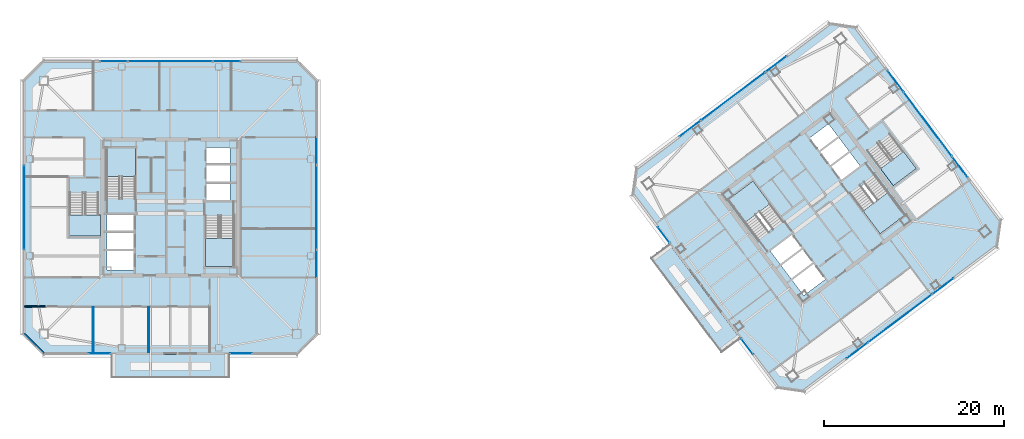
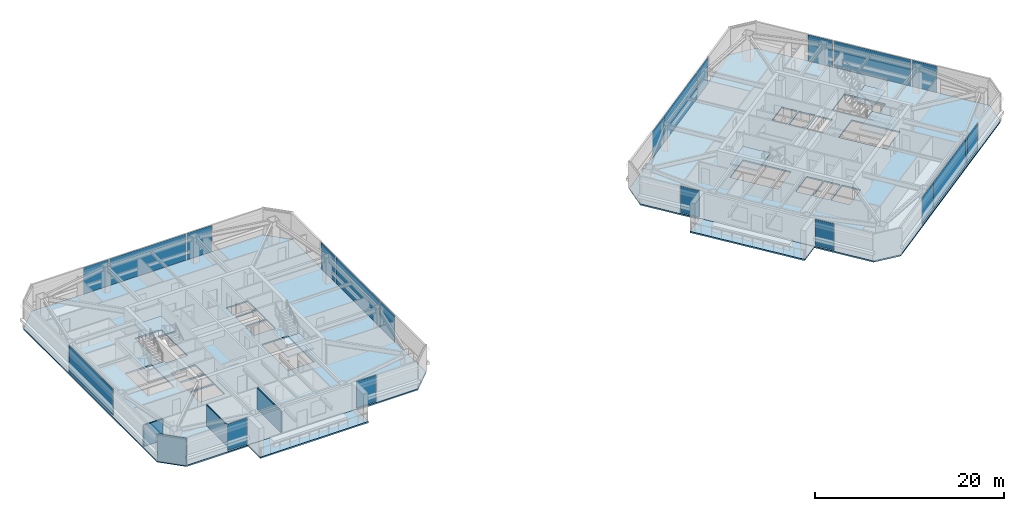
# One storey, part 28 of 39: 20 plates, 10 slabs, 4 walls, 26 elements without a shape of their own.
"""IFC4 building model written with IfcOpenShell, lengths in metres."""

from ifc_helpers import new_model, si_unit, direction, frame, frame_2d, origin, origin_2d, place, context, subcontext, project, spatial, polyline, rectangle, outline, extrude, material, layer, layer_set, type_object, element, aggregate, save


model = new_model("IFC4")

# Units and contexts
model_context = context("Model", 3, precision=1e-05, world=origin(), true_north=direction((0.0, 1.0)))
body_context = subcontext(model_context, "Body", "Model", "MODEL_VIEW")
ifc_project = project(units=[si_unit("LENGTHUNIT", "METRE"), si_unit("AREAUNIT", "SQUARE_METRE"), si_unit("VOLUMEUNIT", "CUBIC_METRE"), si_unit("PLANEANGLEUNIT", "RADIAN"), si_unit("MASSUNIT", "GRAM", prefix="KILO")], contexts=[model_context])

# Site, building, storey
site_placement = place(None, origin())
site = spatial("IfcSite", under=ifc_project, at=site_placement, CompositionType="ELEMENT")
building_placement = place(site_placement, origin())
building = spatial("IfcBuilding", under=site, at=building_placement, Name="Tashvorn Skyway Center", CompositionType="ELEMENT")
storey_placement = place(building_placement, frame((0.0, 0.0, 225.5)))
storey = spatial("IfcBuildingStorey", under=building, at=storey_placement, Name="L61", CompositionType="ELEMENT", Elevation=225.5)

# Curtain wall, plate
ifc_material_1 = material(Name="Thermally broken bronze-anodized aluminium 6063-T6", Category="aluminium")
curtain_wall_type = type_object("IfcCurtainWallType", Name="CW-CW-Z5", PredefinedType="NOTDEFINED", material=ifc_material_1)
curtain_wall_1_placement = place(storey_placement, origin())
curtain_wall_1 = element("IfcCurtainWall", 1, at=curtain_wall_1_placement, inside=storey, type_object=curtain_wall_type, Name="Tower 1 L61 South Curtain Wall L Glazing Group 1", PredefinedType="NOTDEFINED")
ifc_material_2 = material(Name="Low-E solar-control double insulating safety glass", Category="glass")
ifc_layer_1 = layer(ifc_material_2, 0.031982421875)
ifc_layer_set_1 = layer_set([ifc_layer_1], Name="Low-E solar-control double insulating safety glass")
plate_type = type_object("IfcPlateType", Name="CWP-CW-Z5", PredefinedType="CURTAIN_PANEL", material=ifc_layer_set_1)
plate_1_placement = place(storey_placement, frame((49.86328125, 15.719970703125, 0.06982421875), z_axis=(0.0, 0.0, 1.0), x_axis=(-1.0, 0.0, 0.0)))
plate_1 = element("IfcPlate", 2, at=plate_1_placement, type_object=plate_type, Name="CW-Z5 panel 1.1", PredefinedType="CURTAIN_PANEL", context=body_context, shape_type="SweptSolid", body=[
    extrude(rectangle(XDim=2.38671875, YDim=0.031982421875, at=origin_2d()), origin(), (0.0, 0.0, 1.0), 3.409912109375),
])
aggregate(curtain_wall_1, [plate_1])

curtain_wall_2_placement = place(storey_placement, origin())
curtain_wall_2 = element("IfcCurtainWall", 3, at=curtain_wall_2_placement, inside=storey, type_object=curtain_wall_type, Name="Tower 1 L61 South Curtain Wall R Glazing Group 1", PredefinedType="NOTDEFINED")
plate_2_placement = place(storey_placement, frame((34.13671875, 15.719970703125, 0.06982421875), z_axis=(0.0, 0.0, 1.0), x_axis=(-1.0, 0.0, 0.0)))
plate_2 = element("IfcPlate", 4, at=plate_2_placement, type_object=plate_type, Name="CW-Z5 panel 1.1", PredefinedType="CURTAIN_PANEL", context=body_context, shape_type="SweptSolid", body=[
    extrude(rectangle(XDim=2.38671875, YDim=0.031982421875, at=origin_2d()), origin(), (0.0, 0.0, 1.0), 3.409912109375),
])
aggregate(curtain_wall_2, [plate_2])

curtain_wall_3_placement = place(storey_placement, origin())
curtain_wall_3 = element("IfcCurtainWall", 5, at=curtain_wall_3_placement, inside=storey, type_object=curtain_wall_type, Name="Tower 1 L61 West Unitised Curtain Wall Glazing Group 1", PredefinedType="NOTDEFINED")
plate_3_placement = place(storey_placement, frame((25.719970703125, 32.0, 0.06982421875), z_axis=(0.0, 0.0, 1.0), x_axis=(0.0, 1.0, 0.0)))
plate_3 = element("IfcPlate", 6, at=plate_3_placement, type_object=plate_type, Name="CW-Z5 panel 1.1", PredefinedType="CURTAIN_PANEL", context=body_context, shape_type="SweptSolid", body=[
    extrude(rectangle(XDim=9.3134765625, YDim=0.031982421875, at=origin_2d()), origin(), (0.0, 0.0, 1.0), 3.409912109375),
])
aggregate(curtain_wall_3, [plate_3])

curtain_wall_4_placement = place(storey_placement, origin())
curtain_wall_4 = element("IfcCurtainWall", 7, at=curtain_wall_4_placement, inside=storey, type_object=curtain_wall_type, Name="Tower 1 L61 North Unitised Curtain Wall Glazing Group 1", PredefinedType="NOTDEFINED")
plate_4_placement = place(storey_placement, frame((35.69775390625, 48.280029296875, 0.06982421875), z_axis=(0.0, 0.0, 1.0), x_axis=(1.0, 0.0, 0.0)))
plate_4 = element("IfcPlate", 8, at=plate_4_placement, type_object=plate_type, Name="CW-Z5 panel 1.1", PredefinedType="CURTAIN_PANEL", context=body_context, shape_type="SweptSolid", body=[
    extrude(rectangle(XDim=3.010986328125, YDim=0.031982421875, at=origin_2d()), origin(), (0.0, 0.0, 1.0), 3.409912109375),
])
aggregate(curtain_wall_4, [plate_4])

curtain_wall_5_placement = place(storey_placement, origin())
curtain_wall_5 = element("IfcCurtainWall", 9, at=curtain_wall_5_placement, inside=storey, type_object=curtain_wall_type, Name="Tower 1 L61 North Unitised Curtain Wall Glazing Group 2", PredefinedType="NOTDEFINED")
plate_5_placement = place(storey_placement, frame((42.0, 48.280029296875, 0.06982421875), z_axis=(0.0, 0.0, 1.0), x_axis=(1.0, 0.0, 0.0)))
plate_5 = element("IfcPlate", 10, at=plate_5_placement, type_object=plate_type, Name="CW-Z5 panel 1.1", PredefinedType="CURTAIN_PANEL", context=body_context, shape_type="SweptSolid", body=[
    extrude(rectangle(XDim=9.3134765625, YDim=0.031982421875, at=origin_2d()), origin(), (0.0, 0.0, 1.0), 3.409912109375),
])
aggregate(curtain_wall_5, [plate_5])

curtain_wall_6_placement = place(storey_placement, origin())
curtain_wall_6 = element("IfcCurtainWall", 11, at=curtain_wall_6_placement, inside=storey, type_object=curtain_wall_type, Name="Tower 1 L61 North Unitised Curtain Wall Glazing Group 3", PredefinedType="NOTDEFINED")
plate_6_placement = place(storey_placement, frame((48.30224609375, 48.280029296875, 0.06982421875), z_axis=(0.0, 0.0, 1.0), x_axis=(1.0, 0.0, 0.0)))
plate_6 = element("IfcPlate", 12, at=plate_6_placement, type_object=plate_type, Name="CW-Z5 panel 1.1", PredefinedType="CURTAIN_PANEL", context=body_context, shape_type="SweptSolid", body=[
    extrude(rectangle(XDim=3.010986328125, YDim=0.031982421875, at=origin_2d()), origin(), (0.0, 0.0, 1.0), 3.409912109375),
])
aggregate(curtain_wall_6, [plate_6])

curtain_wall_7_placement = place(storey_placement, origin())
curtain_wall_7 = element("IfcCurtainWall", 13, at=curtain_wall_7_placement, inside=storey, type_object=curtain_wall_type, Name="Tower 1 L61 East Unitised Curtain Wall Glazing Group 1", PredefinedType="NOTDEFINED")
plate_7_placement = place(storey_placement, frame((58.280029296875, 38.30224609375, 0.06982421875), z_axis=(0.0, 0.0, 1.0), x_axis=(0.0, -1.0, 0.0)))
plate_7 = element("IfcPlate", 14, at=plate_7_placement, type_object=plate_type, Name="CW-Z5 panel 1.1", PredefinedType="CURTAIN_PANEL", context=body_context, shape_type="SweptSolid", body=[
    extrude(rectangle(XDim=3.010986328125, YDim=0.031982421875, at=origin_2d()), origin(), (0.0, 0.0, 1.0), 3.409912109375),
])
aggregate(curtain_wall_7, [plate_7])

curtain_wall_8_placement = place(storey_placement, origin())
curtain_wall_8 = element("IfcCurtainWall", 15, at=curtain_wall_8_placement, inside=storey, type_object=curtain_wall_type, Name="Tower 1 L61 East Unitised Curtain Wall Glazing Group 2", PredefinedType="NOTDEFINED")
plate_8_placement = place(storey_placement, frame((58.280029296875, 32.0, 0.06982421875), z_axis=(0.0, 0.0, 1.0), x_axis=(0.0, -1.0, 0.0)))
plate_8 = element("IfcPlate", 16, at=plate_8_placement, type_object=plate_type, Name="CW-Z5 panel 1.1", PredefinedType="CURTAIN_PANEL", context=body_context, shape_type="SweptSolid", body=[
    extrude(rectangle(XDim=9.3134765625, YDim=0.031982421875, at=origin_2d()), origin(), (0.0, 0.0, 1.0), 3.409912109375),
])
aggregate(curtain_wall_8, [plate_8])

curtain_wall_9_placement = place(storey_placement, origin())
curtain_wall_9 = element("IfcCurtainWall", 17, at=curtain_wall_9_placement, inside=storey, type_object=curtain_wall_type, Name="Tower 1 L61 East Unitised Curtain Wall Glazing Group 3", PredefinedType="NOTDEFINED")
plate_9_placement = place(storey_placement, frame((58.280029296875, 25.69775390625, 0.06982421875), z_axis=(0.0, 0.0, 1.0), x_axis=(0.0, -1.0, 0.0)))
plate_9 = element("IfcPlate", 18, at=plate_9_placement, type_object=plate_type, Name="CW-Z5 panel 1.1", PredefinedType="CURTAIN_PANEL", context=body_context, shape_type="SweptSolid", body=[
    extrude(rectangle(XDim=3.010986328125, YDim=0.031982421875, at=origin_2d()), origin(), (0.0, 0.0, 1.0), 3.409912109375),
])
aggregate(curtain_wall_9, [plate_9])

curtain_wall_10_placement = place(storey_placement, origin())
curtain_wall_10 = element("IfcCurtainWall", 19, at=curtain_wall_10_placement, inside=storey, type_object=curtain_wall_type, Name="Tower 2 L61 South Unitised Curtain Wall Glazing Group 1", PredefinedType="NOTDEFINED")
plate_10_placement = place(storey_placement, frame((128.080810546875, 23.210693359375, 0.06982421875), z_axis=(0.0, 0.0, 1.0), x_axis=(-0.799999999998, -0.600000000002, 0.0)))
plate_10 = element("IfcPlate", 20, at=plate_10_placement, type_object=plate_type, Name="CW-Z5 panel 1.1", PredefinedType="CURTAIN_PANEL", context=body_context, shape_type="SweptSolid", body=[
    extrude(rectangle(XDim=2.85546875, YDim=0.031982421875, at=origin_2d()), origin(), (0.0, 0.0, 1.0), 3.409912109375),
])
aggregate(curtain_wall_10, [plate_10])

curtain_wall_11_placement = place(storey_placement, origin())
curtain_wall_11 = element("IfcCurtainWall", 21, at=curtain_wall_11_placement, inside=storey, type_object=curtain_wall_type, Name="Tower 2 L61 South Unitised Curtain Wall Glazing Group 2", PredefinedType="NOTDEFINED")
plate_11_placement = place(storey_placement, frame((123.2880859375, 19.615966796875, 0.06982421875), z_axis=(0.0, 0.0, 1.0), x_axis=(-0.800002670596, -0.599996439189, 0.0)))
plate_11 = element("IfcPlate", 22, at=plate_11_placement, type_object=plate_type, Name="CW-Z5 panel 1.1", PredefinedType="CURTAIN_PANEL", context=body_context, shape_type="SweptSolid", body=[
    extrude(rectangle(XDim=8.8466796875, YDim=0.031982421875, at=origin_2d()), origin(), (0.0, 0.0, 1.0), 3.409912109375),
])
aggregate(curtain_wall_11, [plate_11])

curtain_wall_12_placement = place(storey_placement, origin())
curtain_wall_12 = element("IfcCurtainWall", 23, at=curtain_wall_12_placement, inside=storey, type_object=curtain_wall_type, Name="Tower 2 L61 South Unitised Curtain Wall Glazing Group 3", PredefinedType="NOTDEFINED")
plate_12_placement = place(storey_placement, frame((118.4951171875, 16.021240234375, 0.06982421875), z_axis=(0.0, 0.0, 1.0), x_axis=(-0.799999999998, -0.600000000002, 0.0)))
plate_12 = element("IfcPlate", 24, at=plate_12_placement, type_object=plate_type, Name="CW-Z5 panel 1.1", PredefinedType="CURTAIN_PANEL", context=body_context, shape_type="SweptSolid", body=[
    extrude(rectangle(XDim=2.85546875, YDim=0.031982421875, at=origin_2d()), origin(), (0.0, 0.0, 1.0), 3.409912109375),
])
aggregate(curtain_wall_12, [plate_12])

curtain_wall_13_placement = place(storey_placement, origin())
curtain_wall_13 = element("IfcCurtainWall", 25, at=curtain_wall_13_placement, inside=storey, type_object=curtain_wall_type, Name="Tower 2 L61 West Curtain Wall L Glazing Group 1", PredefinedType="NOTDEFINED")
plate_13_placement = place(storey_placement, frame((106.263916015625, 16.5146484375, 0.06982421875), z_axis=(0.0, 0.0, 1.0), x_axis=(-0.599993023312, 0.800005232469, 0.0)))
plate_13 = element("IfcPlate", 26, at=plate_13_placement, type_object=plate_type, Name="CW-Z5 panel 1.1", PredefinedType="CURTAIN_PANEL", context=body_context, shape_type="SweptSolid", body=[
    extrude(rectangle(XDim=2.1533203125, YDim=0.031982421875, at=origin_2d()), origin(), (0.0, 0.0, 1.0), 3.409912109375),
])
aggregate(curtain_wall_13, [plate_13])

curtain_wall_14_placement = place(storey_placement, origin())
curtain_wall_14 = element("IfcCurtainWall", 27, at=curtain_wall_14_placement, inside=storey, type_object=curtain_wall_type, Name="Tower 2 L61 West Curtain Wall R Glazing Group 1", PredefinedType="NOTDEFINED")
plate_14_placement = place(storey_placement, frame((96.968017578125, 28.909423828125, 0.06982421875), z_axis=(0.0, 0.0, 1.0), x_axis=(-0.599993023312, 0.800005232469, 0.0)))
plate_14 = element("IfcPlate", 28, at=plate_14_placement, type_object=plate_type, Name="CW-Z5 panel 1.1", PredefinedType="CURTAIN_PANEL", context=body_context, shape_type="SweptSolid", body=[
    extrude(rectangle(XDim=2.1533203125, YDim=0.031982421875, at=origin_2d()), origin(), (0.0, 0.0, 1.0), 3.409912109375),
])
aggregate(curtain_wall_14, [plate_14])

curtain_wall_15_placement = place(storey_placement, origin())
curtain_wall_15 = element("IfcCurtainWall", 29, at=curtain_wall_15_placement, inside=storey, type_object=curtain_wall_type, Name="Tower 2 L61 North Unitised Curtain Wall Glazing Group 1", PredefinedType="NOTDEFINED")
plate_15_placement = place(storey_placement, frame((99.919189453125, 40.789306640625, 0.06982421875), z_axis=(0.0, 0.0, 1.0), x_axis=(0.799999999998, 0.600000000002, 0.0)))
plate_15 = element("IfcPlate", 30, at=plate_15_placement, type_object=plate_type, Name="CW-Z5 panel 1.1", PredefinedType="CURTAIN_PANEL", context=body_context, shape_type="SweptSolid", body=[
    extrude(rectangle(XDim=2.85546875, YDim=0.031982421875, at=origin_2d()), origin(), (0.0, 0.0, 1.0), 3.409912109375),
])
aggregate(curtain_wall_15, [plate_15])

curtain_wall_16_placement = place(storey_placement, origin())
curtain_wall_16 = element("IfcCurtainWall", 31, at=curtain_wall_16_placement, inside=storey, type_object=curtain_wall_type, Name="Tower 2 L61 North Unitised Curtain Wall Glazing Group 2", PredefinedType="NOTDEFINED")
plate_16_placement = place(storey_placement, frame((104.7119140625, 44.384033203125, 0.06982421875), z_axis=(0.0, 0.0, 1.0), x_axis=(0.800002670596, 0.599996439189, 0.0)))
plate_16 = element("IfcPlate", 32, at=plate_16_placement, type_object=plate_type, Name="CW-Z5 panel 1.1", PredefinedType="CURTAIN_PANEL", context=body_context, shape_type="SweptSolid", body=[
    extrude(rectangle(XDim=8.8466796875, YDim=0.031982421875, at=origin_2d()), origin(), (0.0, 0.0, 1.0), 3.409912109375),
])
aggregate(curtain_wall_16, [plate_16])

curtain_wall_17_placement = place(storey_placement, origin())
curtain_wall_17 = element("IfcCurtainWall", 33, at=curtain_wall_17_placement, inside=storey, type_object=curtain_wall_type, Name="Tower 2 L61 North Unitised Curtain Wall Glazing Group 3", PredefinedType="NOTDEFINED")
plate_17_placement = place(storey_placement, frame((109.5048828125, 47.978759765625, 0.06982421875), z_axis=(0.0, 0.0, 1.0), x_axis=(0.799999999998, 0.600000000002, 0.0)))
plate_17 = element("IfcPlate", 34, at=plate_17_placement, type_object=plate_type, Name="CW-Z5 panel 1.1", PredefinedType="CURTAIN_PANEL", context=body_context, shape_type="SweptSolid", body=[
    extrude(rectangle(XDim=2.85546875, YDim=0.031982421875, at=origin_2d()), origin(), (0.0, 0.0, 1.0), 3.409912109375),
])
aggregate(curtain_wall_17, [plate_17])

curtain_wall_18_placement = place(storey_placement, origin())
curtain_wall_18 = element("IfcCurtainWall", 35, at=curtain_wall_18_placement, inside=storey, type_object=curtain_wall_type, Name="Tower 2 L61 East Unitised Curtain Wall Glazing Group 1", PredefinedType="NOTDEFINED")
plate_18_placement = place(storey_placement, frame((122.789306640625, 46.080810546875, 0.06982421875), z_axis=(0.0, 0.0, 1.0), x_axis=(0.600000000002, -0.799999999998, 0.0)))
plate_18 = element("IfcPlate", 36, at=plate_18_placement, type_object=plate_type, Name="CW-Z5 panel 1.1", PredefinedType="CURTAIN_PANEL", context=body_context, shape_type="SweptSolid", body=[
    extrude(rectangle(XDim=2.85546875, YDim=0.031982421875, at=origin_2d()), origin(), (0.0, 0.0, 1.0), 3.409912109375),
])
aggregate(curtain_wall_18, [plate_18])

curtain_wall_19_placement = place(storey_placement, origin())
curtain_wall_19 = element("IfcCurtainWall", 37, at=curtain_wall_19_placement, inside=storey, type_object=curtain_wall_type, Name="Tower 2 L61 East Unitised Curtain Wall Glazing Group 2", PredefinedType="NOTDEFINED")
plate_19_placement = place(storey_placement, frame((126.384033203125, 41.2880859375, 0.06982421875), z_axis=(0.0, 0.0, 1.0), x_axis=(0.599996439189, -0.800002670596, 0.0)))
plate_19 = element("IfcPlate", 38, at=plate_19_placement, type_object=plate_type, Name="CW-Z5 panel 1.1", PredefinedType="CURTAIN_PANEL", context=body_context, shape_type="SweptSolid", body=[
    extrude(rectangle(XDim=8.8466796875, YDim=0.031982421875, at=origin_2d()), origin(), (0.0, 0.0, 1.0), 3.409912109375),
])
aggregate(curtain_wall_19, [plate_19])

curtain_wall_20_placement = place(storey_placement, origin())
curtain_wall_20 = element("IfcCurtainWall", 39, at=curtain_wall_20_placement, inside=storey, type_object=curtain_wall_type, Name="Tower 2 L61 East Unitised Curtain Wall Glazing Group 3", PredefinedType="NOTDEFINED")
plate_20_placement = place(storey_placement, frame((129.978759765625, 36.4951171875, 0.06982421875), z_axis=(0.0, 0.0, 1.0), x_axis=(0.600000000002, -0.799999999998, 0.0)))
plate_20 = element("IfcPlate", 40, at=plate_20_placement, type_object=plate_type, Name="CW-Z5 panel 1.1", PredefinedType="CURTAIN_PANEL", context=body_context, shape_type="SweptSolid", body=[
    extrude(rectangle(XDim=2.85546875, YDim=0.031982421875, at=origin_2d()), origin(), (0.0, 0.0, 1.0), 3.409912109375),
])
aggregate(curtain_wall_20, [plate_20])

# Slabs
ifc_material_3 = material(Name="Concrete C40/50", Category="concrete")
ifc_layer_2 = layer(ifc_material_3, 0.179931640625)
ifc_layer_set_2 = layer_set([ifc_layer_2], Name="Concrete C40/50")
slab_type_1 = type_object("IfcSlabType", Name="SLAB-FLR-180", PredefinedType="FLOOR", material=ifc_layer_set_2)
slab_1_placement = place(storey_placement, frame((0.0, 0.0, -0.179931640625)))
element("IfcSlab", 41, at=slab_1_placement, inside=storey, type_object=slab_type_1, Name="Tower 1 L61 Composite Floor Slab", PredefinedType="FLOOR", context=body_context, shape_type="SweptSolid", body=[
    extrude(outline(polyline([(27.89990234375, 15.60009765625), (56.10009765625, 15.60009765625), (58.39990234375, 17.89990234375), (58.39990234375, 46.10009765625), (56.10009765625, 48.39990234375), (27.89990234375, 48.39990234375), (25.60009765625, 46.10009765625), (25.60009765625, 17.89990234375), (27.89990234375, 15.60009765625)]), holes=[polyline([(38.10009765625, 33.080078125), (38.10009765625, 38.60009765625), (34.89990234375, 38.60009765625), (34.89990234375, 33.080078125), (38.10009765625, 33.080078125)]), polyline([(45.89990234375, 30.919921875), (45.89990234375, 25.39990234375), (49.10009765625, 25.39990234375), (49.10009765625, 30.919921875), (45.89990234375, 30.919921875)]), polyline([(30.800048828125, 33.52001953125), (30.800048828125, 28.800048828125), (34.0, 28.800048828125), (34.0, 33.52001953125), (30.800048828125, 33.52001953125)]), polyline([(34.949951171875, 29.35009765625), (37.949951171875, 29.35009765625), (37.949951171875, 31.199951171875), (34.949951171875, 31.199951171875), (34.949951171875, 29.35009765625)]), polyline([(34.949951171875, 27.35009765625), (37.949951171875, 27.35009765625), (37.949951171875, 29.199951171875), (34.949951171875, 29.199951171875), (34.949951171875, 27.35009765625)]), polyline([(34.949951171875, 25.0), (37.949951171875, 25.0), (37.949951171875, 27.14990234375), (34.949951171875, 27.14990234375), (34.949951171875, 25.0)]), polyline([(46.050048828125, 32.800048828125), (48.64990234375, 32.800048828125), (48.64990234375, 34.64990234375), (46.050048828125, 34.64990234375), (46.050048828125, 32.800048828125)]), polyline([(46.050048828125, 34.85009765625), (48.64990234375, 34.85009765625), (48.64990234375, 36.699951171875), (46.050048828125, 36.699951171875), (46.050048828125, 34.85009765625)]), polyline([(46.050048828125, 36.89990234375), (48.64990234375, 36.89990234375), (48.64990234375, 38.64990234375), (46.050048828125, 38.64990234375), (46.050048828125, 36.89990234375)])]), origin(), (0.0, 0.0, 1.0), 0.179931640625),
])
slab_2_placement = place(storey_placement, frame((0.0, 0.0, -0.179931640625)))
element("IfcSlab", 42, at=slab_2_placement, inside=storey, type_object=slab_type_1, Name="Tower 2 L61 Composite Floor Slab", PredefinedType="FLOOR", context=body_context, shape_type="SweptSolid", body=[
    extrude(outline(polyline([(112.639892578125, 11.47998046875), (134.080078125, 27.56005859375), (134.52001953125, 30.639892578125), (118.43994140625, 52.080078125), (115.360107421875, 52.52001953125), (93.919921875, 36.43994140625), (93.47998046875, 33.360107421875), (109.56005859375, 11.919921875), (112.639892578125, 11.47998046875)]), holes=[polyline([(110.23193359375, 30.52392578125), (106.919921875, 34.93994140625), (104.135986328125, 32.85205078125), (107.447998046875, 28.43603515625), (110.23193359375, 30.52392578125)]), polyline([(117.76806640625, 33.47607421875), (121.080078125, 29.06005859375), (123.864013671875, 31.14794921875), (120.552001953125, 35.56396484375), (117.76806640625, 33.47607421875)]), polyline([(119.7119140625, 38.18408203125), (122.5439453125, 34.407958984375), (125.10400390625, 36.327880859375), (122.27197265625, 40.10400390625), (119.7119140625, 38.18408203125)]), polyline([(109.949951171875, 25.64990234375), (112.35009765625, 27.449951171875), (111.239990234375, 28.929931640625), (108.840087890625, 27.1298828125), (109.949951171875, 25.64990234375)]), polyline([(111.14990234375, 24.050048828125), (113.550048828125, 25.85009765625), (112.43994140625, 27.330078125), (110.0400390625, 25.530029296875), (111.14990234375, 24.050048828125)]), polyline([(112.56005859375, 22.169921875), (114.9599609375, 23.969970703125), (113.669921875, 25.68994140625), (111.27001953125, 23.889892578125), (112.56005859375, 22.169921875)]), polyline([(116.760009765625, 35.070068359375), (118.840087890625, 36.6298828125), (117.72998046875, 38.110107421875), (115.64990234375, 36.550048828125), (116.760009765625, 35.070068359375)]), polyline([(115.530029296875, 36.7099609375), (117.610107421875, 38.27001953125), (116.5, 39.75), (114.419921875, 38.18994140625), (115.530029296875, 36.7099609375)]), polyline([(114.300048828125, 38.35009765625), (116.3798828125, 39.909912109375), (115.330078125, 41.31005859375), (113.25, 39.75), (114.300048828125, 38.35009765625)])]), origin(), (0.0, 0.0, 1.0), 0.179931640625),
])

# Stair, slab
stair_type = type_object("IfcStairType", Name="STAIR-CORE-1500", PredefinedType="HALF_TURN_STAIR", material=ifc_material_3)
stair_1_placement = place(storey_placement, origin())
stair_1 = element("IfcStair", 43, at=stair_1_placement, inside=storey, type_object=stair_type, Name="L61 Tower 1 Exit Stair 1", PredefinedType="HALF_TURN_STAIR")
ifc_layer_3 = layer(ifc_material_3, 0.199951171875)
ifc_layer_set_3 = layer_set([ifc_layer_3], Name="Concrete C40/50")
slab_type_2 = type_object("IfcSlabType", Name="SLAB-LAND-200", PredefinedType="LANDING", material=ifc_layer_set_3)
slab_3_placement = place(storey_placement, frame((0.0, 0.0, 1.574951171875)))
slab_3 = element("IfcSlab", 44, at=slab_3_placement, type_object=slab_type_2, Name="ST-T1-1 landing 1", PredefinedType="LANDING", context=body_context, shape_type="SweptSolid", body=[
    extrude(outline(polyline([(38.10009765625, 35.43994140625), (38.10009765625, 38.60009765625), (34.89990234375, 38.60009765625), (34.89990234375, 35.43994140625), (38.10009765625, 35.43994140625)])), origin(), (0.0, 0.0, 1.0), 0.199951171875),
])
aggregate(stair_1, [slab_3])

stair_2_placement = place(storey_placement, origin())
stair_2 = element("IfcStair", 45, at=stair_2_placement, inside=storey, type_object=stair_type, Name="L61 Tower 1 Exit Stair 2", PredefinedType="HALF_TURN_STAIR")
slab_4_placement = place(storey_placement, frame((0.0, 0.0, 1.574951171875)))
slab_4 = element("IfcSlab", 46, at=slab_4_placement, type_object=slab_type_2, Name="ST-T1-2 landing 1", PredefinedType="LANDING", context=body_context, shape_type="SweptSolid", body=[
    extrude(outline(polyline([(45.89990234375, 28.56005859375), (45.89990234375, 25.39990234375), (49.10009765625, 25.39990234375), (49.10009765625, 28.56005859375), (45.89990234375, 28.56005859375)])), origin(), (0.0, 0.0, 1.0), 0.199951171875),
])
aggregate(stair_2, [slab_4])

stair_3_placement = place(storey_placement, origin())
stair_3 = element("IfcStair", 47, at=stair_3_placement, inside=storey, type_object=stair_type, Name="L61 Tower 2 Exit Stair 1", PredefinedType="HALF_TURN_STAIR")
slab_5_placement = place(storey_placement, frame((0.0, 0.0, 1.574951171875)))
slab_5 = element("IfcSlab", 48, at=slab_5_placement, type_object=slab_type_2, Name="ST-T2-1 landing 1", PredefinedType="LANDING", context=body_context, shape_type="SweptSolid", body=[
    extrude(outline(polyline([(108.82080078125, 32.405517578125), (106.919921875, 34.93994140625), (104.135986328125, 32.85205078125), (106.036865234375, 30.317626953125), (108.82080078125, 32.405517578125)])), origin(), (0.0, 0.0, 1.0), 0.199951171875),
])
aggregate(stair_3, [slab_5])

stair_4_placement = place(storey_placement, origin())
stair_4 = element("IfcStair", 49, at=stair_4_placement, inside=storey, type_object=stair_type, Name="L61 Tower 2 Exit Stair 2", PredefinedType="HALF_TURN_STAIR")
slab_6_placement = place(storey_placement, frame((0.0, 0.0, 1.574951171875)))
slab_6 = element("IfcSlab", 50, at=slab_6_placement, type_object=slab_type_2, Name="ST-T2-2 landing 1", PredefinedType="LANDING", context=body_context, shape_type="SweptSolid", body=[
    extrude(outline(polyline([(119.17919921875, 31.594482421875), (121.080078125, 29.06005859375), (123.864013671875, 31.14794921875), (121.963134765625, 33.682373046875), (119.17919921875, 31.594482421875)])), origin(), (0.0, 0.0, 1.0), 0.199951171875),
])
aggregate(stair_4, [slab_6])

stair_5_placement = place(storey_placement, origin())
stair_5 = element("IfcStair", 51, at=stair_5_placement, inside=storey, type_object=stair_type, Name="L61 Tower 1 Exit Stair 3", PredefinedType="HALF_TURN_STAIR")
slab_7_placement = place(storey_placement, frame((0.0, 0.0, 1.574951171875)))
slab_7 = element("IfcSlab", 52, at=slab_7_placement, type_object=slab_type_2, Name="ST-T1-3 landing 1", PredefinedType="LANDING", context=body_context, shape_type="SweptSolid", body=[
    extrude(outline(polyline([(30.800048828125, 31.159912109375), (30.800048828125, 28.800048828125), (34.199951171875, 28.800048828125), (34.199951171875, 31.159912109375), (30.800048828125, 31.159912109375)])), origin(), (0.0, 0.0, 1.0), 0.199951171875),
])
aggregate(stair_5, [slab_7])

stair_6_placement = place(storey_placement, origin())
stair_6 = element("IfcStair", 53, at=stair_6_placement, inside=storey, type_object=stair_type, Name="L61 Tower 2 Exit Stair 3", PredefinedType="HALF_TURN_STAIR")
slab_8_placement = place(storey_placement, frame((0.0, 0.0, 1.574951171875)))
slab_8 = element("IfcSlab", 54, at=slab_8_placement, type_object=slab_type_2, Name="ST-T2-3 landing 1", PredefinedType="LANDING", context=body_context, shape_type="SweptSolid", body=[
    extrude(outline(polyline([(121.123291015625, 36.302490234375), (122.5439453125, 34.407958984375), (125.10400390625, 36.327880859375), (123.68310546875, 38.222412109375), (121.123291015625, 36.302490234375)])), origin(), (0.0, 0.0, 1.0), 0.199951171875),
])
aggregate(stair_6, [slab_8])

# Slabs
ifc_layer_4 = layer(ifc_material_3, 0.179931640625)
ifc_layer_set_4 = layer_set([ifc_layer_4], Name="Concrete C40/50")
slab_type_3 = type_object("IfcSlabType", Name="SLAB-TERR-200", PredefinedType="FLOOR", material=ifc_layer_set_4)
slab_9_placement = place(storey_placement, frame((0.0, 0.0, -0.179931640625)))
element("IfcSlab", 55, at=slab_9_placement, inside=storey, type_object=slab_type_3, Name="Tower 1 L61 Sky Garden Slab", PredefinedType="FLOOR", context=body_context, shape_type="SweptSolid", body=[
    extrude(outline(polyline([(35.39990234375, 13.0), (48.60009765625, 13.0), (48.60009765625, 15.610107421875), (35.39990234375, 15.610107421875), (35.39990234375, 13.0)])), origin(), (0.0, 0.0, 1.0), 0.179931640625),
])
slab_10_placement = place(storey_placement, frame((0.0, 0.0, -0.179931640625)))
element("IfcSlab", 56, at=slab_10_placement, inside=storey, type_object=slab_type_3, Name="Tower 2 L61 Sky Garden Slab", PredefinedType="FLOOR", context=body_context, shape_type="SweptSolid", body=[
    extrude(outline(polyline([(103.39990234375, 15.800048828125), (105.488037109375, 17.365966796875), (97.568115234375, 27.926025390625), (95.47998046875, 26.360107421875), (103.39990234375, 15.800048828125)])), origin(), (0.0, 0.0, 1.0), 0.179931640625),
])

# Walls
ifc_material_4 = material(Name="Precast concrete C40/50", Category="concrete")
ifc_layer_5 = layer(ifc_material_4, 0.280029296875)
ifc_layer_set_5 = layer_set([ifc_layer_5], Name="Precast concrete C40/50")
wall_type_1 = type_object("IfcWallType", Name="WALL-EXT-280", PredefinedType="SOLIDWALL", material=ifc_layer_set_5)
wall_1_placement = place(storey_placement, frame((27.89990234375, 15.699951171875, 0.0), z_axis=(0.0, 0.0, 1.0), x_axis=(-0.707106781187, 0.707106781187, 0.0)))
element("IfcWall", 57, at=wall_1_placement, inside=storey, type_object=wall_type_1, Name="Tower 1 L61 SW Precast Chamfer Wall", PredefinedType="SOLIDWALL", context=body_context, shape_type="SweptSolid", body=[
    extrude(rectangle(XDim=3.111083984375, YDim=0.280029296875, at=frame_2d((1.5556640625, 0.0))), origin(), (0.0, 0.0, 1.0), 3.3701171875),
])
ifc_material_5 = material(Name="Gypsum board on cold-formed steel stud framing", Category="steel")
ifc_layer_6 = layer(ifc_material_5, 0.110107421875)
ifc_layer_set_6 = layer_set([ifc_layer_6], Name="Gypsum board on cold-formed steel stud framing")
wall_type_2 = type_object("IfcWallType", Name="WALL-PART-110", PredefinedType="PARTITIONING", material=ifc_layer_set_6)
for number, where, z_axis, x_axis, name in (
    (58, (33.39990234375, 15.8701171875, 0.0), (0.0, 0.0, 1.0), (0.0, 1.0, 0.0), "Tower 1 L61 South Suite Partition 1"),
    (59, (39.60009765625, 15.8701171875, 0.0), (0.0, 0.0, 1.0), (0.0, 1.0, 0.0), "Tower 1 L61 South Suite Partition 2"),
):
    element("IfcWall", number, at=place(storey_placement, frame(where, z_axis=z_axis, x_axis=x_axis)), inside=storey, type_object=wall_type_2, Name=name, PredefinedType="PARTITIONING", context=body_context, shape_type="SweptSolid", body=[
        extrude(rectangle(XDim=5.0, YDim=0.110107421875, at=frame_2d((2.5, 0.0))), origin(), (0.0, 0.0, 1.0), 2.722900390625),
    ])
ifc_layer_7 = layer(ifc_material_5, 0.135009765625)
ifc_layer_set_7 = layer_set([ifc_layer_7], Name="Gypsum board on cold-formed steel stud framing")
wall_type_3 = type_object("IfcWallType", Name="WALL-PART-135", PredefinedType="PARTITIONING", material=ifc_layer_set_7)
wall_2_placement = place(storey_placement, frame((25.719970703125, 20.949951171875, 0.0), z_axis=(0.0, 0.0, 1.0), x_axis=(1.0, 0.0, 0.0)))
element("IfcWall", 60, at=wall_2_placement, inside=storey, type_object=wall_type_3, Name="Tower 1 L61 South-West Suite North Wall", PredefinedType="PARTITIONING", context=body_context, shape_type="SweptSolid", body=[
    extrude(rectangle(XDim=2.330078125, YDim=0.135009765625, at=frame_2d((1.1650390625, 0.0))), origin(), (0.0, 0.0, 1.0), 2.722900390625),
])

save(model, "model.ifc")
